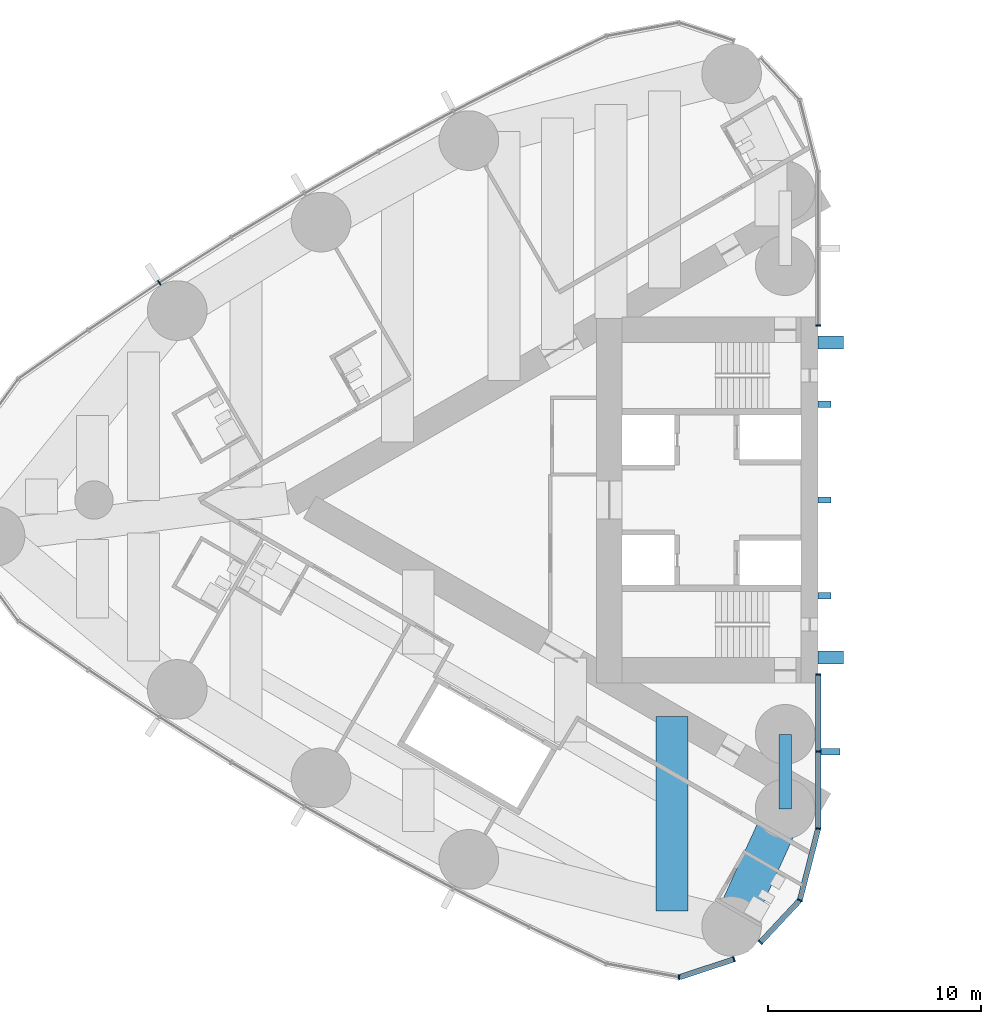
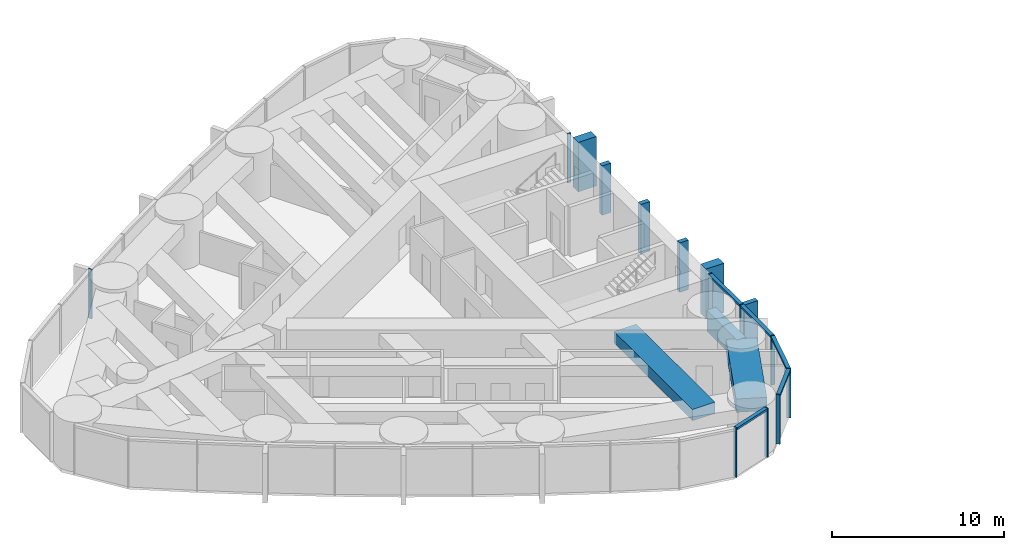
# One storey, part 4 of 19: 20 members, 3 beams, 4 elements without a shape of their own.
"""IFC4 building model written with IfcOpenShell, lengths in metres."""

from ifc_helpers import new_model, si_unit, direction, frame, origin, origin_2d, place, context, subcontext, project, spatial, rectangle, hollow_rectangle, extrude, material, material_profile, profile_set, type_object, element, aggregate, save


model = new_model("IFC4")

# Units and contexts
model_context = context("Model", 3, precision=1e-05, world=origin(), true_north=direction((0.0, 1.0)))
body_context = subcontext(model_context, "Body", "Model", "MODEL_VIEW")
ifc_project = project(units=[si_unit("LENGTHUNIT", "METRE"), si_unit("AREAUNIT", "SQUARE_METRE"), si_unit("VOLUMEUNIT", "CUBIC_METRE"), si_unit("PLANEANGLEUNIT", "RADIAN"), si_unit("MASSUNIT", "GRAM", prefix="KILO")], contexts=[model_context])

# Site, building, storey
site_placement = place(None, origin())
site = spatial("IfcSite", under=ifc_project, at=site_placement, CompositionType="ELEMENT")
building_placement = place(site_placement, origin())
building = spatial("IfcBuilding", under=site, at=building_placement, Name="Lancet Gate Hotel", CompositionType="ELEMENT")
storey_placement = place(building_placement, frame((0.0, 0.0, 184.300048828125)))
storey = spatial("IfcBuildingStorey", under=building, at=storey_placement, Name="L49", CompositionType="ELEMENT", Elevation=184.300048828125)

# Curtain wall, member
ifc_material_1 = material(Name="Aluminium curtain wall", Category="aluminium")
curtain_wall_type = type_object("IfcCurtainWallType", Name="Tower unitised curtain wall", PredefinedType="USERDEFINED", material=ifc_material_1)
curtain_wall_1_placement = place(storey_placement, origin())
curtain_wall_1 = element("IfcCurtainWall", 1, at=curtain_wall_1_placement, inside=storey, type_object=curtain_wall_type, Name="T1 L49 curtain wall 1", ObjectType="UNITISED CURTAIN WALL", PredefinedType="USERDEFINED")
ifc_material_2 = material(Name="Aluminium mullion", Category="aluminium")
ifc_material_profile_1 = material_profile(ifc_material_2, rectangle(XDim=0.06494140625, YDim=0.25, at=origin_2d()), Name="MULLION 65x250")
ifc_profile_set_1 = profile_set([ifc_material_profile_1], Name="Aluminium mullion")
member_type_1 = type_object("IfcMemberType", Name="Aluminium mullion 65x250", PredefinedType="MULLION", material=ifc_profile_set_1)
member_1_placement = place(storey_placement, frame((-27.5, 8.199951171875, 0.0), z_axis=(0.0, 0.0, 1.0), x_axis=(0.0, 1.0, 0.0)))
member_1 = element("IfcMember", 2, at=member_1_placement, type_object=member_type_1, Name="T1 L49 curtain wall 1 mullion 1", PredefinedType="MULLION", context=body_context, shape_type="SweptSolid", body=[
    extrude(rectangle(XDim=0.06494140625, YDim=0.25, at=origin_2d()), origin(), (0.0, 0.0, 1.0), 3.5),
])
aggregate(curtain_wall_1, [member_1])

curtain_wall_2_placement = place(storey_placement, origin())
curtain_wall_2 = element("IfcCurtainWall", 3, at=curtain_wall_2_placement, inside=storey, type_object=curtain_wall_type, Name="T1 L49 curtain wall 2", ObjectType="UNITISED CURTAIN WALL", PredefinedType="USERDEFINED")
member_2_placement = place(storey_placement, frame((-58.43212890625, 10.194091796875, 0.0), z_axis=(0.0, 0.0, 1.0), x_axis=(-0.839331119324, -0.54362052218, 0.0)))
member_2 = element("IfcMember", 4, at=member_2_placement, type_object=member_type_1, Name="T1 L49 curtain wall 2 mullion 9", PredefinedType="MULLION", context=body_context, shape_type="SweptSolid", body=[
    extrude(rectangle(XDim=0.06494140625, YDim=0.25, at=origin_2d()), origin(), (0.0, 0.0, 1.0), 3.5),
])
aggregate(curtain_wall_2, [member_2])

# Curtain wall, members
curtain_wall_3_placement = place(storey_placement, origin())
curtain_wall_3 = element("IfcCurtainWall", 5, at=curtain_wall_3_placement, inside=storey, type_object=curtain_wall_type, Name="T1 L49 curtain wall 3", ObjectType="UNITISED CURTAIN WALL", PredefinedType="USERDEFINED")
member_3_placement = place(storey_placement, frame((-34.02783203125, -22.407470703125, 0.0), z_axis=(0.0, 0.0, 1.0), x_axis=(0.999350473622, 0.036036521361, 0.0)))
member_3 = element("IfcMember", 6, at=member_3_placement, type_object=member_type_1, Name="T1 L49 curtain wall 3 mullion 11", PredefinedType="MULLION", context=body_context, shape_type="SweptSolid", body=[
    extrude(rectangle(XDim=0.06494140625, YDim=0.25, at=origin_2d()), origin(), (0.0, 0.0, 1.0), 3.5),
])
member_4_placement = place(storey_placement, frame((-31.45263671875, -21.5595703125, 0.0), z_axis=(0.0, 0.0, 1.0), x_axis=(0.949848055084, 0.312711803827, 0.0)))
member_4 = element("IfcMember", 7, at=member_4_placement, type_object=member_type_1, Name="T1 L49 curtain wall 3 mullion 12", PredefinedType="MULLION", context=body_context, shape_type="SweptSolid", body=[
    extrude(rectangle(XDim=0.06494140625, YDim=0.25, at=origin_2d()), origin(), (0.0, 0.0, 1.0), 3.5),
])

curtain_wall_4_placement = place(storey_placement, origin())
curtain_wall_4 = element("IfcCurtainWall", 8, at=curtain_wall_4_placement, inside=storey, type_object=curtain_wall_type, Name="T1 L49 curtain wall 4", ObjectType="UNITISED CURTAIN WALL", PredefinedType="USERDEFINED")
member_5_placement = place(storey_placement, frame((-30.210693359375, -20.765625, 0.0), z_axis=(0.0, 0.0, 1.0), x_axis=(0.682844962172, 0.730563315282, 0.0)))
member_5 = element("IfcMember", 9, at=member_5_placement, type_object=member_type_1, Name="T1 L49 curtain wall 4 mullion 1", PredefinedType="MULLION", context=body_context, shape_type="SweptSolid", body=[
    extrude(rectangle(XDim=0.06494140625, YDim=0.25, at=origin_2d()), origin(), (0.0, 0.0, 1.0), 3.5),
])
member_6_placement = place(storey_placement, frame((-28.360595703125, -18.7861328125, 0.0), z_axis=(0.0, 0.0, 1.0), x_axis=(0.452507601198, 0.891760545695, 0.0)))
member_6 = element("IfcMember", 10, at=member_6_placement, type_object=member_type_1, Name="T1 L49 curtain wall 4 mullion 2", PredefinedType="MULLION", context=body_context, shape_type="SweptSolid", body=[
    extrude(rectangle(XDim=0.06494140625, YDim=0.25, at=origin_2d()), origin(), (0.0, 0.0, 1.0), 3.5),
])
member_7_placement = place(storey_placement, frame((-27.5, -15.42333984375, 0.0), z_axis=(0.0, 0.0, 1.0), x_axis=(0.122467472845, 0.992472527627, 0.0)))
member_7 = element("IfcMember", 11, at=member_7_placement, type_object=member_type_1, Name="T1 L49 curtain wall 4 mullion 3", PredefinedType="MULLION", context=body_context, shape_type="SweptSolid", body=[
    extrude(rectangle(XDim=0.06494140625, YDim=0.25, at=origin_2d()), origin(), (0.0, 0.0, 1.0), 3.5),
])
member_8_placement = place(storey_placement, frame((-27.5, -11.811767578125, 0.0), z_axis=(0.0, 0.0, 1.0), x_axis=(0.0, 1.0, 0.0)))
member_8 = element("IfcMember", 12, at=member_8_placement, type_object=member_type_1, Name="T1 L49 curtain wall 4 mullion 4", PredefinedType="MULLION", context=body_context, shape_type="SweptSolid", body=[
    extrude(rectangle(XDim=0.06494140625, YDim=0.25, at=origin_2d()), origin(), (0.0, 0.0, 1.0), 3.5),
])
member_9_placement = place(storey_placement, frame((-27.5, -8.199951171875, 0.0), z_axis=(0.0, 0.0, 1.0), x_axis=(0.0, 1.0, 0.0)))
member_9 = element("IfcMember", 13, at=member_9_placement, type_object=member_type_1, Name="T1 L49 curtain wall 4 mullion 5", PredefinedType="MULLION", context=body_context, shape_type="SweptSolid", body=[
    extrude(rectangle(XDim=0.06494140625, YDim=0.25, at=origin_2d()), origin(), (0.0, 0.0, 1.0), 3.5),
])

# Member
ifc_material_3 = material(Name="Aluminium transom", Category="aluminium")
ifc_material_profile_2 = material_profile(ifc_material_3, rectangle(XDim=0.25, YDim=0.14990234375, at=origin_2d()), Name="TRANSOM 250x150")
ifc_profile_set_2 = profile_set([ifc_material_profile_2], Name="Aluminium transom")
member_type_2 = type_object("IfcMemberType", Name="Aluminium transom 250x150", PredefinedType="USERDEFINED", material=ifc_profile_set_2)
member_10_placement = place(storey_placement, frame((-33.9970703125, -22.397216796875, 3.425048828125), z_axis=(0.949857661259, 0.312682623993, 0.0), x_axis=(-0.312682623993, 0.949857661259, 0.0)))
member_10 = element("IfcMember", 14, at=member_10_placement, type_object=member_type_2, Name="T1 L49 curtain wall 3 transom 11", ObjectType="TRANSOM", PredefinedType="USERDEFINED", context=body_context, shape_type="SweptSolid", body=[
    extrude(rectangle(XDim=0.25, YDim=0.14990234375, at=origin_2d()), origin(), (0.0, 0.0, 1.0), 2.64599609375),
])

aggregate(curtain_wall_3, [member_3, member_4, member_10])

member_11_placement = place(storey_placement, frame((-30.188720703125, -20.741943359375, 3.425048828125), z_axis=(0.682841037959, 0.730566983157, 0.0), x_axis=(-0.730566983157, 0.682841037959, 0.0)))
member_11 = element("IfcMember", 15, at=member_11_placement, type_object=member_type_2, Name="T1 L49 curtain wall 4 transom 1", ObjectType="TRANSOM", PredefinedType="USERDEFINED", context=body_context, shape_type="SweptSolid", body=[
    extrude(rectangle(XDim=0.25, YDim=0.14990234375, at=origin_2d()), origin(), (0.0, 0.0, 1.0), 2.644775390625),
])

member_12_placement = place(storey_placement, frame((-28.3525390625, -18.754638671875, 3.425048828125), z_axis=(0.247928683912, 0.968778286139, 0.0), x_axis=(-0.968778286139, 0.247928683912, 0.0)))
member_12 = element("IfcMember", 16, at=member_12_placement, type_object=member_type_2, Name="T1 L49 curtain wall 4 transom 2", ObjectType="TRANSOM", PredefinedType="USERDEFINED", context=body_context, shape_type="SweptSolid", body=[
    extrude(rectangle(XDim=0.25, YDim=0.14990234375, at=origin_2d()), origin(), (0.0, 0.0, 1.0), 3.40625),
])

member_13_placement = place(storey_placement, frame((-27.5, -15.390869140625, 3.425048828125), z_axis=(0.0, 1.0, 0.0), x_axis=(-1.0, 0.0, 0.0)))
member_13 = element("IfcMember", 17, at=member_13_placement, type_object=member_type_2, Name="T1 L49 curtain wall 4 transom 3", ObjectType="TRANSOM", PredefinedType="USERDEFINED", context=body_context, shape_type="SweptSolid", body=[
    extrude(rectangle(XDim=0.25, YDim=0.14990234375, at=origin_2d()), origin(), (0.0, 0.0, 1.0), 3.546630859375),
])

member_14_placement = place(storey_placement, frame((-27.5, -11.779296875, 3.425048828125), z_axis=(0.0, 1.0, 0.0), x_axis=(-1.0, 0.0, 0.0)))
member_14 = element("IfcMember", 18, at=member_14_placement, type_object=member_type_2, Name="T1 L49 curtain wall 4 transom 4", ObjectType="TRANSOM", PredefinedType="USERDEFINED", context=body_context, shape_type="SweptSolid", body=[
    extrude(rectangle(XDim=0.25, YDim=0.14990234375, at=origin_2d()), origin(), (0.0, 0.0, 1.0), 3.546875),
])

# Beam
ifc_material_4 = material(Name="Concrete C50/60", Category="concrete")
ifc_material_profile_3 = material_profile(ifc_material_4, rectangle(XDim=1.800048828125, YDim=0.949951171875, at=origin_2d()), Name="RC 1800x950")
ifc_profile_set_3 = profile_set([ifc_material_profile_3], Name="Concrete C50/60")
beam_type_1 = type_object("IfcBeamType", Name="Edge beam RC 1800x950", PredefinedType="SPANDREL", material=ifc_profile_set_3)
beam_1_placement = place(storey_placement, frame((-29.050048828125, -14.5, 2.77490234375), z_axis=(-0.414919206993, -0.909858259109, 0.0), x_axis=(0.909858259109, -0.414919206993, 0.0)))
element("IfcBeam", 19, at=beam_1_placement, inside=storey, type_object=beam_type_1, Name="T1 edge beam EB1 L49", PredefinedType="SPANDREL", context=body_context, shape_type="SweptSolid", body=[
    extrude(rectangle(XDim=1.800048828125, YDim=0.949951171875, at=origin_2d()), origin(), (0.0, 0.0, 1.0), 6.062255859375),
])

# Members
ifc_material_5 = material(Name="Concrete C60/75", Category="concrete")
ifc_material_profile_4 = material_profile(ifc_material_5, rectangle(XDim=0.60009765625, YDim=1.199951171875, at=origin_2d()), Name="FIN 600x1200")
ifc_profile_set_4 = profile_set([ifc_material_profile_4], Name="Concrete C60/75")
member_type_3 = type_object("IfcMemberType", Name="Exposed concrete buttress pilaster 600x1200", PredefinedType="USERDEFINED", material=ifc_profile_set_4)
for number, where, z_axis, x_axis, name in (
    (20, (-26.909912109375, 7.39990234375, 0.0), (0.0, 0.0, 1.0), (0.0, 1.0, 0.0), "T1 buttress pilaster S L49"),
    (21, (-26.909912109375, -7.39990234375, 0.0), (0.0, 0.0, 1.0), (0.0, 1.0, 0.0), "T1 buttress pilaster N L49"),
):
    element("IfcMember", number, at=place(storey_placement, frame(where, z_axis=z_axis, x_axis=x_axis)), inside=storey, type_object=member_type_3, Name=name, ObjectType="FIN", PredefinedType="USERDEFINED", context=body_context, shape_type="SweptSolid", body=[
        extrude(rectangle(XDim=0.60009765625, YDim=1.199951171875, at=origin_2d()), origin(), (0.0, 0.0, 1.0), 3.5),
    ])

# Member
ifc_material_6 = material(Name="Precast concrete C50/60", Category="concrete")
ifc_material_profile_5 = material_profile(ifc_material_6, rectangle(XDim=0.300048828125, YDim=0.89990234375, at=origin_2d()), Name="FIN 300x900")
ifc_profile_set_5 = profile_set([ifc_material_profile_5], Name="Precast concrete C50/60")
member_type_4 = type_object("IfcMemberType", Name="Exposed concrete fin 300x900", PredefinedType="USERDEFINED", material=ifc_profile_set_5)
member_15_placement = place(storey_placement, frame((-26.925048828125, -11.811767578125, 0.0), z_axis=(0.0, 0.0, 1.0), x_axis=(0.0, 1.0, 0.0)))
member_15 = element("IfcMember", 22, at=member_15_placement, type_object=member_type_4, Name="T1 L49 curtain wall 4 fin 4", ObjectType="FIN", PredefinedType="USERDEFINED", context=body_context, shape_type="SweptSolid", body=[
    extrude(rectangle(XDim=0.300048828125, YDim=0.89990234375, at=origin_2d()), origin(), (0.0, 0.0, 1.0), 3.5),
])

aggregate(curtain_wall_4, [member_5, member_6, member_7, member_8, member_15, member_9, member_11, member_12, member_13, member_14])

# Members
ifc_material_7 = material(Name="Concrete C60/75", Category="concrete")
ifc_material_profile_6 = material_profile(ifc_material_7, rectangle(XDim=0.300048828125, YDim=0.60009765625, at=origin_2d()), Name="FIN 300x600")
ifc_profile_set_6 = profile_set([ifc_material_profile_6], Name="Concrete C60/75")
member_type_5 = type_object("IfcMemberType", Name="Exposed concrete rib 300x600", PredefinedType="USERDEFINED", material=ifc_profile_set_6)
for number, where, z_axis, x_axis, name in (
    (23, (-27.2099609375, 4.5, 0.0), (0.0, 0.0, 1.0), (0.0, 1.0, 0.0), "T1 core rib 1 L49"),
    (24, (-27.2099609375, 0.0, 0.0), (0.0, 0.0, 1.0), (0.0, 1.0, 0.0), "T1 core rib 2 L49"),
    (25, (-27.2099609375, -4.5, 0.0), (0.0, 0.0, 1.0), (0.0, 1.0, 0.0), "T1 core rib 3 L49"),
):
    element("IfcMember", number, at=place(storey_placement, frame(where, z_axis=z_axis, x_axis=x_axis)), inside=storey, type_object=member_type_5, Name=name, ObjectType="FIN", PredefinedType="USERDEFINED", context=body_context, shape_type="SweptSolid", body=[
        extrude(rectangle(XDim=0.300048828125, YDim=0.60009765625, at=origin_2d()), origin(), (0.0, 0.0, 1.0), 3.5),
    ])

# Beams
ifc_material_8 = material(Name="Concrete C50/60", Category="concrete")
ifc_material_profile_7 = material_profile(ifc_material_8, rectangle(XDim=1.5, YDim=0.800048828125, at=origin_2d()), Name="RC 1500x800")
ifc_profile_set_7 = profile_set([ifc_material_profile_7], Name="Concrete C50/60")
beam_type_2 = type_object("IfcBeamType", Name="Floor beam RC 1500x800", PredefinedType="BEAM", material=ifc_profile_set_7)
beam_2_placement = place(storey_placement, frame((-34.353515625, -10.169921875, 2.849853515625), z_axis=(0.0, -1.0, 0.0), x_axis=(1.0, 0.0, 0.0)))
element("IfcBeam", 26, at=beam_2_placement, inside=storey, type_object=beam_type_2, Name="T1 floor beam F02N L49", PredefinedType="BEAM", context=body_context, shape_type="SweptSolid", body=[
    extrude(rectangle(XDim=1.5, YDim=0.800048828125, at=origin_2d()), origin(), (0.0, 0.0, 1.0), 9.13525390625),
])
ifc_material_9 = material(Name="Steel S460QL", Category="steel")
ifc_material_profile_8 = material_profile(ifc_material_9, hollow_rectangle(XDim=0.60009765625, YDim=1.5, WallThickness=0.050048828125, at=origin_2d()), Name="BOX 1500x600x50")
ifc_profile_set_8 = profile_set([ifc_material_profile_8], Name="Steel S460QL")
beam_type_3 = type_object("IfcBeamType", Name="Inner-face link beam BOX 1500x600x50", PredefinedType="BEAM", material=ifc_profile_set_8)
beam_3_placement = place(storey_placement, frame((-29.050048828125, -11.0, 2.5), z_axis=(0.0, -1.0, 0.0), x_axis=(1.0, 0.0, 0.0)))
element("IfcBeam", 27, at=beam_3_placement, inside=storey, type_object=beam_type_3, Name="T1 inner-face link beam LK1 L49", PredefinedType="BEAM", context=body_context, shape_type="SweptSolid", body=[
    extrude(hollow_rectangle(XDim=0.60009765625, YDim=1.5, WallThickness=0.050048828125, at=origin_2d()), origin(), (0.0, 0.0, 1.0), 3.5),
])

save(model, "model.ifc")
